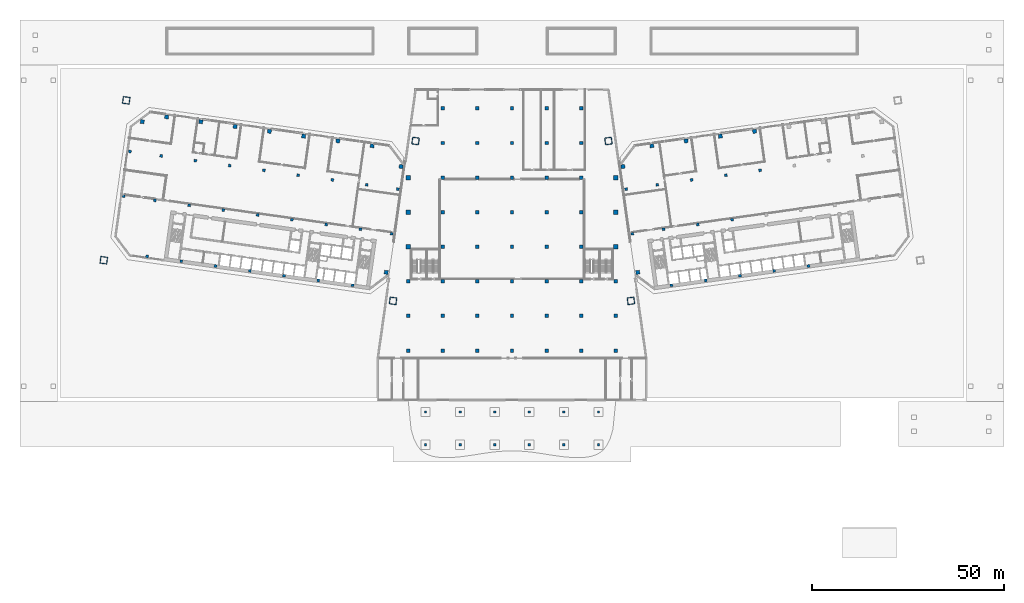
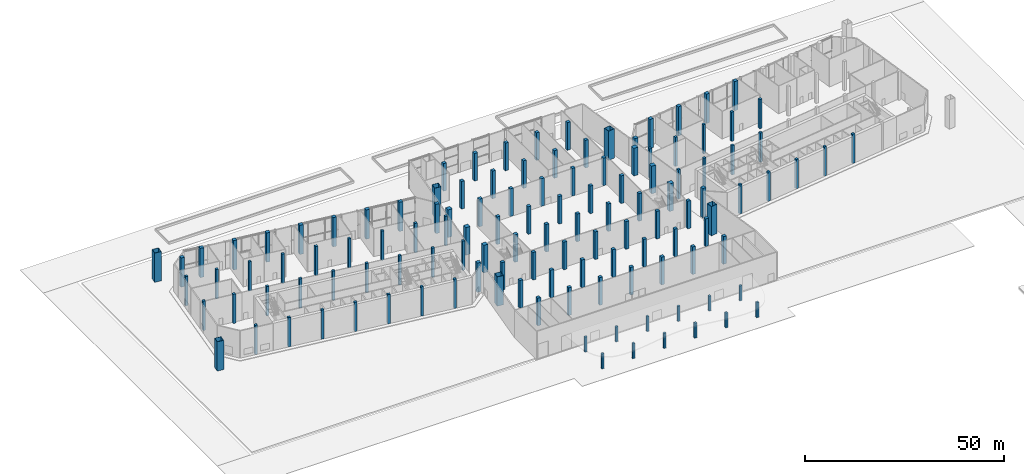
# One storey, part 2 of 34: 125 columns.
"""IFC4 building model written with IfcOpenShell, lengths in metres."""

from ifc_helpers import new_model, si_unit, direction, frame, origin, origin_2d, place, context, subcontext, project, spatial, rectangle, hollow_rectangle, extrude, material, material_profile, profile_set, type_object, element, save


model = new_model("IFC4")

# Units and contexts
model_context = context("Model", 3, precision=1e-05, world=origin(), true_north=direction((0.0, 1.0)))
body_context = subcontext(model_context, "Body", "Model", "MODEL_VIEW")
ifc_project = project(units=[si_unit("LENGTHUNIT", "METRE"), si_unit("AREAUNIT", "SQUARE_METRE"), si_unit("VOLUMEUNIT", "CUBIC_METRE"), si_unit("PLANEANGLEUNIT", "RADIAN"), si_unit("MASSUNIT", "GRAM", prefix="KILO")], contexts=[model_context])

# Site, building, storey
site_placement = place(None, origin())
site = spatial("IfcSite", under=ifc_project, at=site_placement, CompositionType="ELEMENT")
building_placement = place(site_placement, origin())
building = spatial("IfcBuilding", under=site, at=building_placement, Name="Mirante Cascada Hotel Towers", CompositionType="ELEMENT")
storey_placement = place(building_placement, origin())
storey = spatial("IfcBuildingStorey", under=building, at=storey_placement, Name="L00", CompositionType="ELEMENT", Elevation=0.0)

# Columns
ifc_material_1 = material(Name="Steel ASTM A572 Gr 50", Category="steel")
ifc_material_profile_1 = material_profile(ifc_material_1, hollow_rectangle(XDim=1.8, YDim=1.8, WallThickness=0.08, at=origin_2d()), Name="Box column 1800x1800x80 ASTM A572 Gr 50")
ifc_profile_set_1 = profile_set([ifc_material_profile_1], Name="Steel ASTM A572 Gr 50")
column_type_1 = type_object("IfcColumnType", Name="Box column 1800x1800x80 ASTM A572 Gr 50", PredefinedType="COLUMN", material=ifc_profile_set_1)
for number, where, z_axis, x_axis, name in (
    (1, (-25.0968, 18.5173, 0.0), (0.0, 0.0, 1.0), (-0.9902681, 0.1391731, 0.0), "Mega column MC1 T1 L00"),
    (2, (-30.9421, -23.074, 0.0), (0.0, 0.0, 1.0), (-0.9902681, 0.1391731, 0.0), "Mega column MC2 T1 L00"),
    (3, (-100.3572, 29.0944, 0.0), (0.0, 0.0, 1.0), (-0.9902681, 0.1391731, 0.0), "Mega column MC3 T1 L00"),
    (4, (-106.2025, -12.4968, 0.0), (0.0, 0.0, 1.0), (-0.9902681, 0.1391731, 0.0), "Mega column MC4 T1 L00"),
    (5, (25.0968, 18.5173, 0.0), (0.0, 0.0, 1.0), (0.9902681, 0.1391731, 0.0), "Mega column MC1 T2 L00"),
    (6, (30.9421, -23.074, 0.0), (0.0, 0.0, 1.0), (0.9902681, 0.1391731, 0.0), "Mega column MC2 T2 L00"),
):
    element("IfcColumn", number, at=place(storey_placement, frame(where, z_axis=z_axis, x_axis=x_axis)), inside=storey, type_object=column_type_1, Name=name, PredefinedType="COLUMN", context=body_context, shape_type="SweptSolid", body=[
        extrude(hollow_rectangle(XDim=1.8, YDim=1.8, WallThickness=0.08, at=origin_2d()), origin(), (0.0, 0.0, 1.0), 9.0),
    ])
ifc_material_2 = material(Name="Concrete C50/60", Category="concrete")
ifc_material_profile_2 = material_profile(ifc_material_2, rectangle(XDim=1.2, YDim=1.2, at=origin_2d()), Name="RC 1200x1200")
ifc_profile_set_2 = profile_set([ifc_material_profile_2], Name="Concrete C50/60")
column_type_2 = type_object("IfcColumnType", Name="Column RC 1200x1200 C50/60", PredefinedType="COLUMN", material=ifc_profile_set_2)
for number, where, z_axis, x_axis, name in (
    (7, (-27.0, -9.0, 0.0), (0.0, 0.0, 1.0), (1.0, 0.0, 0.0), "col:P:L00:171"),
    (8, (27.0, -9.0, 0.0), (0.0, 0.0, 1.0), (1.0, 0.0, 0.0), "col:P:L00:214"),
    (9, (-27.0, 0.0, 0.0), (0.0, 0.0, 1.0), (1.0, 0.0, 0.0), "col:P:L00:222"),
    (10, (27.0, 0.0, 0.0), (0.0, 0.0, 1.0), (1.0, 0.0, 0.0), "col:P:L00:265"),
    (11, (-27.0, 9.0, 0.0), (0.0, 0.0, 1.0), (1.0, 0.0, 0.0), "col:P:L00:273"),
    (12, (27.0, 9.0, 0.0), (0.0, 0.0, 1.0), (1.0, 0.0, 0.0), "col:P:L00:304"),
):
    element("IfcColumn", number, at=place(storey_placement, frame(where, z_axis=z_axis, x_axis=x_axis)), inside=storey, type_object=column_type_2, Name=name, PredefinedType="COLUMN", context=body_context, shape_type="SweptSolid", body=[
        extrude(rectangle(XDim=1.2, YDim=1.2, at=origin_2d()), origin(), (0.0, 0.0, 1.0), 8.5),
    ])
ifc_material_3 = material(Name="Concrete C50/60", Category="concrete")
ifc_material_profile_3 = material_profile(ifc_material_3, rectangle(XDim=0.6, YDim=0.6, at=origin_2d()), Name="RC 600x600")
ifc_profile_set_3 = profile_set([ifc_material_profile_3], Name="Concrete C50/60")
column_type_3 = type_object("IfcColumnType", Name="Column RC 600x600 C50/60", PredefinedType="COLUMN", material=ifc_profile_set_3)
for number, where, z_axis, x_axis, name in (
    (13, (-22.5, -52.0, -0.15), (0.0, 0.0, 1.0), (1.0, 0.0, 0.0), "Canopy column 1"),
    (14, (-13.5, -52.0, -0.15), (0.0, 0.0, 1.0), (1.0, 0.0, 0.0), "Canopy column 2"),
    (15, (-4.5, -52.0, -0.15), (0.0, 0.0, 1.0), (1.0, 0.0, 0.0), "Canopy column 3"),
    (16, (4.5, -52.0, -0.15), (0.0, 0.0, 1.0), (1.0, 0.0, 0.0), "Canopy column 4"),
    (17, (13.5, -52.0, -0.15), (0.0, 0.0, 1.0), (1.0, 0.0, 0.0), "Canopy column 5"),
    (18, (22.5, -52.0, -0.15), (0.0, 0.0, 1.0), (1.0, 0.0, 0.0), "Canopy column 6"),
    (19, (-22.5, -60.5, -0.15), (0.0, 0.0, 1.0), (1.0, 0.0, 0.0), "Canopy column 7"),
    (20, (-13.5, -60.5, -0.15), (0.0, 0.0, 1.0), (1.0, 0.0, 0.0), "Canopy column 8"),
    (21, (-4.5, -60.5, -0.15), (0.0, 0.0, 1.0), (1.0, 0.0, 0.0), "Canopy column 9"),
    (22, (4.5, -60.5, -0.15), (0.0, 0.0, 1.0), (1.0, 0.0, 0.0), "Canopy column 10"),
    (23, (13.5, -60.5, -0.15), (0.0, 0.0, 1.0), (1.0, 0.0, 0.0), "Canopy column 11"),
    (24, (22.5, -60.5, -0.15), (0.0, 0.0, 1.0), (1.0, 0.0, 0.0), "Canopy column 12"),
):
    element("IfcColumn", number, at=place(storey_placement, frame(where, z_axis=z_axis, x_axis=x_axis)), inside=storey, type_object=column_type_3, Name=name, PredefinedType="COLUMN", context=body_context, shape_type="SweptSolid", body=[
        extrude(rectangle(XDim=0.6, YDim=0.6, at=origin_2d()), origin(), (0.0, 0.0, 1.0), 4.65),
    ])
ifc_material_4 = material(Name="Concrete C50/60", Category="concrete")
ifc_material_profile_4 = material_profile(ifc_material_4, rectangle(XDim=0.9, YDim=0.9, at=origin_2d()), Name="RC 900x900")
ifc_profile_set_4 = profile_set([ifc_material_profile_4], Name="Concrete C50/60")
column_type_4 = type_object("IfcColumnType", Name="Column RC 900x900 C50/60", PredefinedType="COLUMN", material=ifc_profile_set_4)
for number, where, z_axis, x_axis, name in (
    (25, (-27.0, -36.0, 0.0), (0.0, 0.0, 1.0), (1.0, 0.0, 0.0), "col:P:L00:3"),
    (26, (-18.0, -36.0, 0.0), (0.0, 0.0, 1.0), (1.0, 0.0, 0.0), "col:P:L00:11"),
    (27, (-9.0, -36.0, 0.0), (0.0, 0.0, 1.0), (1.0, 0.0, 0.0), "col:P:L00:19"),
    (28, (0.0, -36.0, 0.0), (0.0, 0.0, 1.0), (1.0, 0.0, 0.0), "col:P:L00:27"),
    (29, (9.0, -36.0, 0.0), (0.0, 0.0, 1.0), (1.0, 0.0, 0.0), "col:P:L00:35"),
    (30, (18.0, -36.0, 0.0), (0.0, 0.0, 1.0), (1.0, 0.0, 0.0), "col:P:L00:43"),
    (31, (27.0, -36.0, 0.0), (0.0, 0.0, 1.0), (1.0, 0.0, 0.0), "col:P:L00:51"),
    (32, (-27.0, -27.0, 0.0), (0.0, 0.0, 1.0), (1.0, 0.0, 0.0), "col:P:L00:59"),
    (33, (-18.0, -27.0, 0.0), (0.0, 0.0, 1.0), (1.0, 0.0, 0.0), "col:P:L00:67"),
    (34, (-9.0, -27.0, 0.0), (0.0, 0.0, 1.0), (1.0, 0.0, 0.0), "col:P:L00:75"),
    (35, (0.0, -27.0, 0.0), (0.0, 0.0, 1.0), (1.0, 0.0, 0.0), "col:P:L00:83"),
    (36, (9.0, -27.0, 0.0), (0.0, 0.0, 1.0), (1.0, 0.0, 0.0), "col:P:L00:91"),
    (37, (18.0, -27.0, 0.0), (0.0, 0.0, 1.0), (1.0, 0.0, 0.0), "col:P:L00:99"),
    (38, (27.0, -27.0, 0.0), (0.0, 0.0, 1.0), (1.0, 0.0, 0.0), "col:P:L00:107"),
    (39, (-27.0, -18.0, 0.0), (0.0, 0.0, 1.0), (1.0, 0.0, 0.0), "col:P:L00:115"),
    (40, (-18.0, -18.0, 0.0), (0.0, 0.0, 1.0), (1.0, 0.0, 0.0), "col:P:L00:123"),
    (41, (-9.0, -18.0, 0.0), (0.0, 0.0, 1.0), (1.0, 0.0, 0.0), "col:P:L00:131"),
    (42, (0.0, -18.0, 0.0), (0.0, 0.0, 1.0), (1.0, 0.0, 0.0), "col:P:L00:139"),
    (43, (9.0, -18.0, 0.0), (0.0, 0.0, 1.0), (1.0, 0.0, 0.0), "col:P:L00:147"),
    (44, (18.0, -18.0, 0.0), (0.0, 0.0, 1.0), (1.0, 0.0, 0.0), "col:P:L00:155"),
    (45, (27.0, -18.0, 0.0), (0.0, 0.0, 1.0), (1.0, 0.0, 0.0), "col:P:L00:163"),
    (46, (-18.0, -9.0, 0.0), (0.0, 0.0, 1.0), (1.0, 0.0, 0.0), "col:P:L00:179"),
    (47, (-9.0, -9.0, 0.0), (0.0, 0.0, 1.0), (1.0, 0.0, 0.0), "col:P:L00:186"),
    (48, (0.0, -9.0, 0.0), (0.0, 0.0, 1.0), (1.0, 0.0, 0.0), "col:P:L00:193"),
    (49, (9.0, -9.0, 0.0), (0.0, 0.0, 1.0), (1.0, 0.0, 0.0), "col:P:L00:200"),
    (50, (18.0, -9.0, 0.0), (0.0, 0.0, 1.0), (1.0, 0.0, 0.0), "col:P:L00:207"),
    (51, (-18.0, 0.0, 0.0), (0.0, 0.0, 1.0), (1.0, 0.0, 0.0), "col:P:L00:230"),
    (52, (-9.0, 0.0, 0.0), (0.0, 0.0, 1.0), (1.0, 0.0, 0.0), "col:P:L00:237"),
    (53, (0.0, 0.0, 0.0), (0.0, 0.0, 1.0), (1.0, 0.0, 0.0), "col:P:L00:244"),
    (54, (9.0, 0.0, 0.0), (0.0, 0.0, 1.0), (1.0, 0.0, 0.0), "col:P:L00:251"),
    (55, (18.0, 0.0, 0.0), (0.0, 0.0, 1.0), (1.0, 0.0, 0.0), "col:P:L00:258"),
    (56, (-18.0, 9.0, 0.0), (0.0, 0.0, 1.0), (1.0, 0.0, 0.0), "col:P:L00:279"),
    (57, (-9.0, 9.0, 0.0), (0.0, 0.0, 1.0), (1.0, 0.0, 0.0), "col:P:L00:284"),
    (58, (0.0, 9.0, 0.0), (0.0, 0.0, 1.0), (1.0, 0.0, 0.0), "col:P:L00:289"),
    (59, (9.0, 9.0, 0.0), (0.0, 0.0, 1.0), (1.0, 0.0, 0.0), "col:P:L00:294"),
    (60, (18.0, 9.0, 0.0), (0.0, 0.0, 1.0), (1.0, 0.0, 0.0), "col:P:L00:299"),
    (61, (-18.0, 18.0, 0.0), (0.0, 0.0, 1.0), (1.0, 0.0, 0.0), "col:P:L00:310"),
    (62, (-9.0, 18.0, 0.0), (0.0, 0.0, 1.0), (1.0, 0.0, 0.0), "col:P:L00:315"),
    (63, (0.0, 18.0, 0.0), (0.0, 0.0, 1.0), (1.0, 0.0, 0.0), "col:P:L00:320"),
    (64, (9.0, 18.0, 0.0), (0.0, 0.0, 1.0), (1.0, 0.0, 0.0), "col:P:L00:325"),
    (65, (18.0, 18.0, 0.0), (0.0, 0.0, 1.0), (1.0, 0.0, 0.0), "col:P:L00:330"),
    (66, (-18.0, 27.0, 0.0), (0.0, 0.0, 1.0), (1.0, 0.0, 0.0), "col:P:L00:335"),
    (67, (-9.0, 27.0, 0.0), (0.0, 0.0, 1.0), (1.0, 0.0, 0.0), "col:P:L00:338"),
    (68, (0.0, 27.0, 0.0), (0.0, 0.0, 1.0), (1.0, 0.0, 0.0), "col:P:L00:341"),
    (69, (9.0, 27.0, 0.0), (0.0, 0.0, 1.0), (1.0, 0.0, 0.0), "col:P:L00:344"),
    (70, (18.0, 27.0, 0.0), (0.0, 0.0, 1.0), (1.0, 0.0, 0.0), "col:P:L00:347"),
):
    element("IfcColumn", number, at=place(storey_placement, frame(where, z_axis=z_axis, x_axis=x_axis)), inside=storey, type_object=column_type_4, Name=name, PredefinedType="COLUMN", context=body_context, shape_type="SweptSolid", body=[
        extrude(rectangle(XDim=0.9, YDim=0.9, at=origin_2d()), origin(), (0.0, 0.0, 1.0), 8.5),
    ])
ifc_material_5 = material(Name="Concrete C60/75", Category="concrete")
ifc_material_profile_5 = material_profile(ifc_material_5, rectangle(XDim=1.0, YDim=1.0, at=origin_2d()), Name="RC column 1000x1000 C60/75")
ifc_profile_set_5 = profile_set([ifc_material_profile_5], Name="Concrete C60/75")
column_type_5 = type_object("IfcColumnType", Name="RC column 1000x1000 C60/75", PredefinedType="COLUMN", material=ifc_profile_set_5)
for number, where, z_axis, x_axis, name in (
    (71, (-28.8577, 11.8761, 0.0), (0.0, 0.0, 1.0), (-0.9902681, 0.1391731, 0.0), "Column T1 L00 1"),
    (72, (-32.7267, -15.6534, 0.0), (0.0, 0.0, 1.0), (-0.9902681, 0.1391731, 0.0), "Column T1 L00 4"),
    (73, (-36.3795, 17.2754, 0.0), (0.0, 0.0, 1.0), (-0.9902681, 0.1391731, 0.0), "Column T1 L00 5"),
    (74, (-45.2919, 18.528, 0.0), (0.0, 0.0, 1.0), (-0.9902681, 0.1391731, 0.0), "Column T1 L00 9"),
    (75, (-54.2043, 19.7806, 0.0), (0.0, 0.0, 1.0), (-0.9902681, 0.1391731, 0.0), "Column T1 L00 13"),
    (76, (-63.1167, 21.0331, 0.0), (0.0, 0.0, 1.0), (-0.9902681, 0.1391731, 0.0), "Column T1 L00 17"),
    (77, (-72.0291, 22.2857, 0.0), (0.0, 0.0, 1.0), (-0.9902681, 0.1391731, 0.0), "Column T1 L00 21"),
    (78, (-80.9415, 23.5382, 0.0), (0.0, 0.0, 1.0), (-0.9902681, 0.1391731, 0.0), "Column T1 L00 25"),
    (79, (-89.8539, 24.7908, 0.0), (0.0, 0.0, 1.0), (-0.9902681, 0.1391731, 0.0), "Column T1 L00 29"),
    (80, (-96.1868, 23.5602, 0.0), (0.0, 0.0, 1.0), (-0.9902681, 0.1391731, 0.0), "Column T1 L00 33"),
    (81, (28.8577, 11.8761, 0.0), (0.0, 0.0, 1.0), (0.9902681, 0.1391731, 0.0), "Column T2 L00 1"),
    (82, (32.7267, -15.6534, 0.0), (0.0, 0.0, 1.0), (0.9902681, 0.1391731, 0.0), "Column T2 L00 4"),
    (83, (36.3795, 17.2754, 0.0), (0.0, 0.0, 1.0), (0.9902681, 0.1391731, 0.0), "Column T2 L00 5"),
    (84, (45.2919, 18.528, 0.0), (0.0, 0.0, 1.0), (0.9902681, 0.1391731, 0.0), "Column T2 L00 9"),
    (85, (54.2043, 19.7806, 0.0), (0.0, 0.0, 1.0), (0.9902681, 0.1391731, 0.0), "Column T2 L00 13"),
    (86, (63.1167, 21.0331, 0.0), (0.0, 0.0, 1.0), (0.9902681, 0.1391731, 0.0), "Column T2 L00 17"),
):
    element("IfcColumn", number, at=place(storey_placement, frame(where, z_axis=z_axis, x_axis=x_axis)), inside=storey, type_object=column_type_5, Name=name, PredefinedType="COLUMN", context=body_context, shape_type="SweptSolid", body=[
        extrude(rectangle(XDim=1.0, YDim=1.0, at=origin_2d()), origin(), (0.0, 0.0, 1.0), 9.0),
    ])
ifc_material_6 = material(Name="Concrete C60/75", Category="concrete")
ifc_material_profile_6 = material_profile(ifc_material_6, rectangle(XDim=0.7, YDim=0.7, at=origin_2d()), Name="RC column 700x700 C60/75")
ifc_profile_set_6 = profile_set([ifc_material_profile_6], Name="Concrete C60/75")
column_type_6 = type_object("IfcColumnType", Name="RC column 700x700 C60/75", PredefinedType="COLUMN", material=ifc_profile_set_6)
for number, where, z_axis, x_axis, name in (
    (87, (-29.6858, 5.984, 0.0), (0.0, 0.0, 1.0), (-0.9902681, 0.1391731, 0.0), "Column T1 L00 2"),
    (88, (-31.3141, -5.6022, 0.0), (0.0, 0.0, 1.0), (-0.9902681, 0.1391731, 0.0), "Column T1 L00 3"),
    (89, (-37.806, 7.1252, 0.0), (0.0, 0.0, 1.0), (-0.9902681, 0.1391731, 0.0), "Column T1 L00 6"),
    (90, (-39.4343, -4.4609, 0.0), (0.0, 0.0, 1.0), (-0.9902681, 0.1391731, 0.0), "Column T1 L00 7"),
    (91, (-41.4802, -19.0179, 0.0), (0.0, 0.0, 1.0), (-0.9902681, 0.1391731, 0.0), "Column T1 L00 8"),
    (92, (-46.7184, 8.3777, 0.0), (0.0, 0.0, 1.0), (-0.9902681, 0.1391731, 0.0), "Column T1 L00 10"),
    (93, (-48.3467, -3.2084, 0.0), (0.0, 0.0, 1.0), (-0.9902681, 0.1391731, 0.0), "Column T1 L00 11"),
    (94, (-50.3926, -17.7653, 0.0), (0.0, 0.0, 1.0), (-0.9902681, 0.1391731, 0.0), "Column T1 L00 12"),
    (95, (-55.6308, 9.6303, 0.0), (0.0, 0.0, 1.0), (-0.9902681, 0.1391731, 0.0), "Column T1 L00 14"),
    (96, (-57.2591, -1.9558, 0.0), (0.0, 0.0, 1.0), (-0.9902681, 0.1391731, 0.0), "Column T1 L00 15"),
    (97, (-59.305, -16.5128, 0.0), (0.0, 0.0, 1.0), (-0.9902681, 0.1391731, 0.0), "Column T1 L00 16"),
    (98, (-64.5432, 10.8829, 0.0), (0.0, 0.0, 1.0), (-0.9902681, 0.1391731, 0.0), "Column T1 L00 18"),
    (99, (-66.1716, -0.7033, 0.0), (0.0, 0.0, 1.0), (-0.9902681, 0.1391731, 0.0), "Column T1 L00 19"),
    (100, (-68.2174, -15.2602, 0.0), (0.0, 0.0, 1.0), (-0.9902681, 0.1391731, 0.0), "Column T1 L00 20"),
    (101, (-73.4556, 12.1354, 0.0), (0.0, 0.0, 1.0), (-0.9902681, 0.1391731, 0.0), "Column T1 L00 22"),
    (102, (-75.084, 0.5493, 0.0), (0.0, 0.0, 1.0), (-0.9902681, 0.1391731, 0.0), "Column T1 L00 23"),
    (103, (-77.1298, -14.0077, 0.0), (0.0, 0.0, 1.0), (-0.9902681, 0.1391731, 0.0), "Column T1 L00 24"),
    (104, (-82.368, 13.388, 0.0), (0.0, 0.0, 1.0), (-0.9902681, 0.1391731, 0.0), "Column T1 L00 26"),
    (105, (-83.9964, 1.8018, 0.0), (0.0, 0.0, 1.0), (-0.9902681, 0.1391731, 0.0), "Column T1 L00 27"),
    (106, (-86.0422, -12.7551, 0.0), (0.0, 0.0, 1.0), (-0.9902681, 0.1391731, 0.0), "Column T1 L00 28"),
    (107, (-91.2805, 14.6405, 0.0), (0.0, 0.0, 1.0), (-0.9902681, 0.1391731, 0.0), "Column T1 L00 30"),
    (108, (-92.9088, 3.0544, 0.0), (0.0, 0.0, 1.0), (-0.9902681, 0.1391731, 0.0), "Column T1 L00 31"),
    (109, (-94.9546, -11.5025, 0.0), (0.0, 0.0, 1.0), (-0.9902681, 0.1391731, 0.0), "Column T1 L00 32"),
    (110, (-99.4007, 15.7818, 0.0), (0.0, 0.0, 1.0), (-0.9902681, 0.1391731, 0.0), "Column T1 L00 34"),
    (111, (-101.029, 4.1956, 0.0), (0.0, 0.0, 1.0), (-0.9902681, 0.1391731, 0.0), "Column T1 L00 35"),
    (112, (29.6858, 5.984, 0.0), (0.0, 0.0, 1.0), (0.9902681, 0.1391731, 0.0), "Column T2 L00 2"),
    (113, (31.3141, -5.6022, 0.0), (0.0, 0.0, 1.0), (0.9902681, 0.1391731, 0.0), "Column T2 L00 3"),
    (114, (37.806, 7.1252, 0.0), (0.0, 0.0, 1.0), (0.9902681, 0.1391731, 0.0), "Column T2 L00 6"),
    (115, (39.4343, -4.4609, 0.0), (0.0, 0.0, 1.0), (0.9902681, 0.1391731, 0.0), "Column T2 L00 7"),
    (116, (41.4802, -19.0179, 0.0), (0.0, 0.0, 1.0), (0.9902681, 0.1391731, 0.0), "Column T2 L00 8"),
    (117, (46.7184, 8.3777, 0.0), (0.0, 0.0, 1.0), (0.9902681, 0.1391731, 0.0), "Column T2 L00 10"),
    (118, (48.3467, -3.2084, 0.0), (0.0, 0.0, 1.0), (0.9902681, 0.1391731, 0.0), "Column T2 L00 11"),
    (119, (50.3926, -17.7653, 0.0), (0.0, 0.0, 1.0), (0.9902681, 0.1391731, 0.0), "Column T2 L00 12"),
    (120, (55.6308, 9.6303, 0.0), (0.0, 0.0, 1.0), (0.9902681, 0.1391731, 0.0), "Column T2 L00 14"),
    (121, (57.2591, -1.9558, 0.0), (0.0, 0.0, 1.0), (0.9902681, 0.1391731, 0.0), "Column T2 L00 15"),
    (122, (59.305, -16.5128, 0.0), (0.0, 0.0, 1.0), (0.9902681, 0.1391731, 0.0), "Column T2 L00 16"),
    (123, (64.5432, 10.8829, 0.0), (0.0, 0.0, 1.0), (0.9902681, 0.1391731, 0.0), "Column T2 L00 18"),
    (124, (68.2174, -15.2602, 0.0), (0.0, 0.0, 1.0), (0.9902681, 0.1391731, 0.0), "Column T2 L00 20"),
    (125, (77.1298, -14.0077, 0.0), (0.0, 0.0, 1.0), (0.9902681, 0.1391731, 0.0), "Column T2 L00 24"),
):
    element("IfcColumn", number, at=place(storey_placement, frame(where, z_axis=z_axis, x_axis=x_axis)), inside=storey, type_object=column_type_6, Name=name, PredefinedType="COLUMN", context=body_context, shape_type="SweptSolid", body=[
        extrude(rectangle(XDim=0.7, YDim=0.7, at=origin_2d()), origin(), (0.0, 0.0, 1.0), 9.0),
    ])

save(model, "model.ifc")
